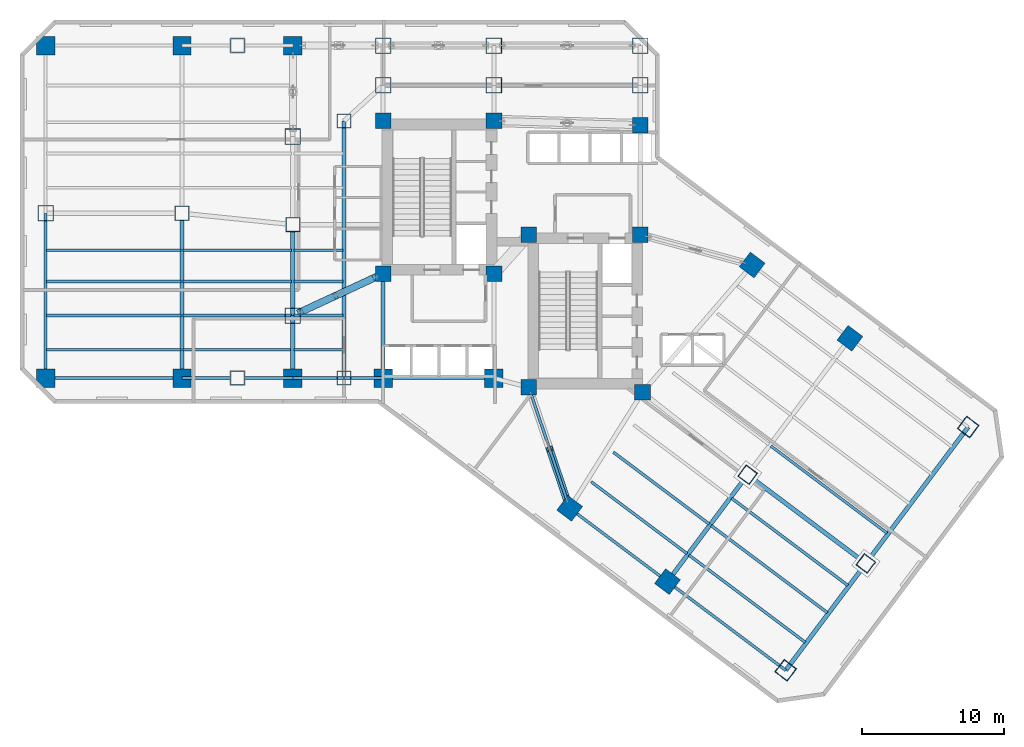
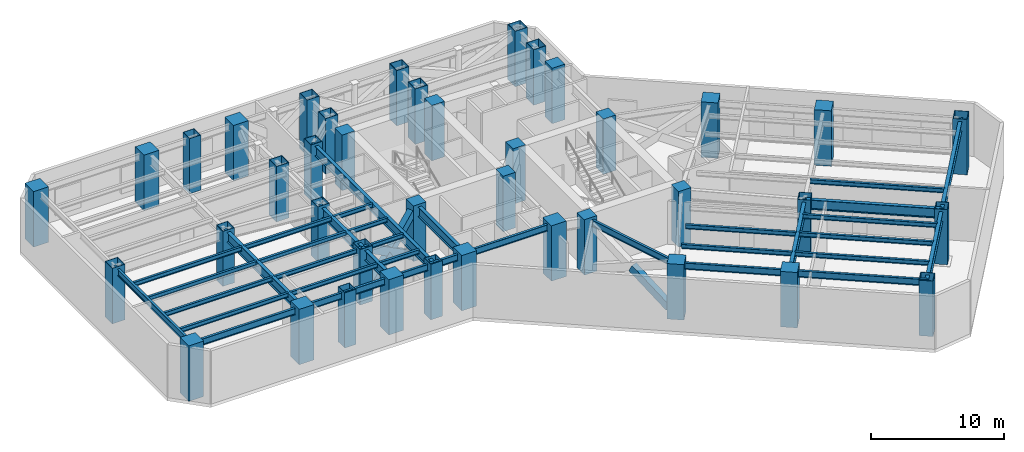
# One storey, part 1 of 16: 40 columns, 37 beams, 4 members.
"""IFC4 building model written with IfcOpenShell, lengths in metres."""

import ifcopenshell
import ifcopenshell.guid

model = None  # the IFC model being written
_history = None  # IfcOwnerHistory: only IFC2X3 demands one
_inside = {}  # id of a spatial element -> (the spatial element, [elements in it])
_under = {}  # id of a project, library or spatial element -> (it, [spatial elements below it])
_declared = {}  # id of a project -> (the project, [libraries it declares])
_typed = {}  # id of a type object -> (the type object, [elements of that type])
_made_of = {}  # id of a material, layer set ... -> (it, [elements and type objects made of it])


def new_model(schema):
    """Start an empty IFC model of exactly this schema.

    Asked for "IFC4X3", IfcOpenShell would pick the latest addendum, in which some entities
    have other attributes; the version numbers below select the first issue.
    IFC2X3 requires an IfcOwnerHistory on every rooted entity: one is made here for all.
    """
    global model, _history
    if schema == "IFC4X3":
        model = ifcopenshell.file(schema_version=(4, 3, 0, 0))
    else:
        model = ifcopenshell.file(schema=schema)
    _inside.clear()
    _under.clear()
    _declared.clear()
    _typed.clear()
    _made_of.clear()
    _history = None
    if model.schema == "IFC2X3":
        org = make("IfcOrganization", Name="unknown")
        user = make(
            "IfcPersonAndOrganization",
            ThePerson=make("IfcPerson", FamilyName="unknown"),
            TheOrganization=org,
        )
        app = make(
            "IfcApplication",
            ApplicationDeveloper=org,
            Version="unknown",
            ApplicationFullName="unknown",
            ApplicationIdentifier="unknown",
        )
        _history = make(
            "IfcOwnerHistory",
            OwningUser=user,
            OwningApplication=app,
            ChangeAction="ADDED",
            CreationDate=0,
        )
    return model


def make(cls, **values):
    """One entity of the class cls with the attributes given. An attribute that is None is left unset."""
    return model.create_entity(
        cls, **{name: value for name, value in values.items() if value is not None}
    )


def rooted(cls, **values):
    """An entity with a GlobalId (a new one), such as an element, a storey or a relation."""
    return make(cls, GlobalId=ifcopenshell.guid.new(), OwnerHistory=_history, **values)


def si_unit(unit_type, name, prefix=None):
    """IfcSIUnit, for example si_unit("LENGTHUNIT", "METRE", prefix="MILLI")."""
    return make("IfcSIUnit", UnitType=unit_type, Prefix=prefix, Name=name)


def assignment(units):
    """IfcUnitAssignment: the units of a project."""
    return None if units is None else make("IfcUnitAssignment", Units=units)


def point(xyz):
    """IfcCartesianPoint."""
    return None if xyz is None else make("IfcCartesianPoint", Coordinates=xyz)


def direction(xyz):
    """IfcDirection."""
    return None if xyz is None else make("IfcDirection", DirectionRatios=xyz)


def frame(location, z_axis=None, x_axis=None):
    """IfcAxis2Placement3D, a coordinate frame: its origin and axes. An axis left out is left unset."""
    return make(
        "IfcAxis2Placement3D",
        Location=point(location),
        Axis=direction(z_axis),
        RefDirection=direction(x_axis),
    )


def frame_2d(location, x_axis=None):
    """IfcAxis2Placement2D, a coordinate frame in the plane: its origin and x axis."""
    return make(
        "IfcAxis2Placement2D", Location=point(location), RefDirection=direction(x_axis)
    )


def origin():
    """The frame at (0, 0, 0) with its axes left unset."""
    return frame((0.0, 0.0, 0.0))


def origin_2d():
    """The frame at (0, 0) in the plane with its x axis left unset."""
    return frame_2d((0.0, 0.0))


def place(relative_to, where):
    """IfcLocalPlacement: puts the frame where relative to a parent placement (None: the world)."""
    return make(
        "IfcLocalPlacement", PlacementRelTo=relative_to, RelativePlacement=where
    )


def context(
    kind, dimensions, precision=None, world=None, true_north=None, identifier=None
):
    """IfcGeometricRepresentationContext, for example the 3D "Model" context."""
    return make(
        "IfcGeometricRepresentationContext",
        ContextIdentifier=identifier,
        ContextType=kind,
        CoordinateSpaceDimension=dimensions,
        Precision=precision,
        WorldCoordinateSystem=world,
        TrueNorth=true_north,
    )


def subcontext(parent, identifier, kind, view, scale=None):
    """IfcGeometricRepresentationSubContext, for example "Body" below "Model"."""
    return make(
        "IfcGeometricRepresentationSubContext",
        ContextIdentifier=identifier,
        ContextType=kind,
        ParentContext=parent,
        TargetScale=scale,
        TargetView=view,
    )


def project(units=None, contexts=None):
    """IfcProject with its units and contexts."""
    return rooted(
        "IfcProject",
        Name="project",
        RepresentationContexts=contexts,
        UnitsInContext=assignment(units),
    )


def spatial(cls, under=None, at=None, **own):
    """A site, building, storey or space (cls), placed at a placement, below another one or the project."""
    s = rooted(cls, ObjectPlacement=at, **own)
    if under is not None:
        _under.setdefault(under.id(), (under, []))[1].append(s)
    return s


def profile(cls, at=None, kind="AREA", **sizes):
    """A parametric profile (cls). Its sizes go by their IFC names, for example OverallWidth=200.0."""
    return make(cls, ProfileType=kind, Position=at, **sizes)


def rectangle(**sizes):
    """IfcRectangleProfileDef."""
    return profile("IfcRectangleProfileDef", **sizes)


def hollow_rectangle(**sizes):
    """IfcRectangleHollowProfileDef."""
    return profile("IfcRectangleHollowProfileDef", **sizes)


def i_section(**sizes):
    """IfcIShapeProfileDef."""
    return profile("IfcIShapeProfileDef", **sizes)


def extrude(swept, where, along, depth):
    """IfcExtrudedAreaSolid: the profile swept, set in the frame where, extruded along a direction by depth."""
    return make(
        "IfcExtrudedAreaSolid",
        SweptArea=swept,
        Position=where,
        ExtrudedDirection=direction(along),
        Depth=depth,
    )


def shape(context_of_items, identifier, shape_type, items):
    """IfcShapeRepresentation: the items that make up one representation, for example the "Body"."""
    return make(
        "IfcShapeRepresentation",
        ContextOfItems=context_of_items,
        RepresentationIdentifier=identifier,
        RepresentationType=shape_type,
        Items=items,
    )


def material(Name=None, Category=None):
    """IfcMaterial."""
    return make("IfcMaterial", Name=Name, Category=Category)


def material_profile(
    of_material, cross_section, Name=None, Category=None, Priority=None
):
    """IfcMaterialProfile: a cross section and its material."""
    return make(
        "IfcMaterialProfile",
        Name=Name,
        Material=of_material,
        Profile=cross_section,
        Priority=Priority,
        Category=Category,
    )


def profile_set(profiles, Name=None, composite=None):
    """IfcMaterialProfileSet."""
    return make(
        "IfcMaterialProfileSet",
        Name=Name,
        MaterialProfiles=profiles,
        CompositeProfile=composite,
    )


def made_of(thing, what):
    """Note that an element or type object is made of a material, layer set ...; save() writes the relation."""
    if what is not None:
        _made_of.setdefault(what.id(), (what, []))[1].append(thing)
    return thing


def type_object(cls, material=None, **own):
    """A type object (cls), such as IfcWallType, which elements share."""
    return made_of(rooted(cls, **own), material)


def element(
    cls,
    number,
    at=None,
    inside=None,
    cuts=None,
    type_object=None,
    material=None,
    context=None,
    identifier="Body",
    shape_type=None,
    held_by="IfcProductDefinitionShape",
    body=None,
    shapes=None,
    **own,
):
    """One element of the class cls, such as IfcWall. Its Tag is "e" and its number.

    at: its placement. inside: the storey or other place that contains it. cuts: it is an
    opening in that element (IfcRelVoidsElement). A single representation is given by context,
    identifier, shape_type and body (its items); several are given by shapes. held_by: the class
    of the entity that holds the representations. save() writes the other relations.
    """
    e = rooted(cls, Tag="e%d" % number, ObjectPlacement=at, **own)
    if body is not None:
        shapes = [shape(context, identifier, shape_type, body)]
    if shapes is not None:
        e.Representation = make(held_by, Representations=shapes)
    if inside is not None:
        _inside.setdefault(inside.id(), (inside, []))[1].append(e)
    if cuts is not None:
        rooted(
            "IfcRelVoidsElement", RelatingBuildingElement=cuts, RelatedOpeningElement=e
        )
    if type_object is not None:
        _typed.setdefault(type_object.id(), (type_object, []))[1].append(e)
    return made_of(e, material)


def aggregate(whole, parts):
    """IfcRelAggregates: a whole, such as a stair, and the parts it consists of."""
    return rooted("IfcRelAggregates", RelatingObject=whole, RelatedObjects=parts)


def save(model, path):
    """Write the relations noted so far, then the file.

    IfcRelAggregates (storeys below a building ...), IfcRelContainedInSpatialStructure (elements
    in a storey), IfcRelDefinesByType, IfcRelAssociatesMaterial and IfcRelDeclares: one each for
    every whole, place, type object, material and project.
    """
    for whole, parts in _under.values():
        aggregate(whole, parts)
    for where, things in _inside.values():
        rooted(
            "IfcRelContainedInSpatialStructure",
            RelatedElements=things,
            RelatingStructure=where,
        )
    for kind, things in _typed.values():
        rooted("IfcRelDefinesByType", RelatedObjects=things, RelatingType=kind)
    for what, things in _made_of.values():
        rooted("IfcRelAssociatesMaterial", RelatedObjects=things, RelatingMaterial=what)
    for by, libraries in _declared.values():
        rooted("IfcRelDeclares", RelatingContext=by, RelatedDefinitions=libraries)
    model.write(path)


model = new_model("IFC4")

# Units and contexts
model_context = context("Model", 3, precision=1e-05, world=origin(), true_north=direction((0.0, 1.0)))
body_context = subcontext(model_context, "Body", "Model", "MODEL_VIEW")
ifc_project = project(units=[si_unit("LENGTHUNIT", "METRE"), si_unit("AREAUNIT", "SQUARE_METRE"), si_unit("VOLUMEUNIT", "CUBIC_METRE"), si_unit("PLANEANGLEUNIT", "RADIAN"), si_unit("MASSUNIT", "GRAM", prefix="KILO")], contexts=[model_context])

# Site, building, storey
site_placement = place(None, origin())
site = spatial("IfcSite", under=ifc_project, at=site_placement, CompositionType="ELEMENT")
building_placement = place(site_placement, origin())
building = spatial("IfcBuilding", under=site, at=building_placement, Name="Hatsunagi Terrace Concourse", CompositionType="ELEMENT")
storey_placement = place(building_placement, frame((0.0, 0.0, 27.0)))
storey = spatial("IfcBuildingStorey", under=building, at=storey_placement, Name="L06", CompositionType="ELEMENT", Elevation=27.0)

# Columns
ifc_material_1 = material(Name="Concrete Fc60", Category="concrete")
ifc_material_profile_1 = material_profile(ifc_material_1, rectangle(XDim=1.10009765625, YDim=1.10009765625, at=origin_2d()), Name="RC-1100x1100")
ifc_profile_set_1 = profile_set([ifc_material_profile_1], Name="Concrete Fc60")
column_type_1 = type_object("IfcColumnType", Name="CoreColumn_RC_1100x1100", PredefinedType="COLUMN", material=ifc_profile_set_1)
for number, where, z_axis, x_axis, name in (
    (1, (25.550048828125, 32.550048828125, 0.0), (0.0, 0.0, 1.0), (1.0, 0.0, 0.0), "Column C-01 L06-CASW"),
    (2, (33.35009765625, 32.550048828125, 0.0), (0.0, 0.0, 1.0), (1.0, 0.0, 0.0), "Column C-01 L06-CASE"),
    (3, (25.550048828125, 43.300048828125, 0.0), (0.0, 0.0, 1.0), (1.0, 0.0, 0.0), "Column C-01 L06-CANW"),
    (4, (33.35009765625, 43.300048828125, 0.0), (0.0, 0.0, 1.0), (1.0, 0.0, 0.0), "Column C-01 L06-CANE"),
    (5, (35.800048828125, 24.550048828125, 0.0), (0.0, 0.0, 1.0), (1.0, 0.0, 0.0), "Column C-01 L06-CBSW"),
    (6, (43.800048828125, 24.199951171875, 0.0), (0.0, 0.0, 1.0), (1.0, 0.0, 0.0), "Column C-01 L06-CBSE"),
    (7, (35.800048828125, 35.300048828125, 0.0), (0.0, 0.0, 1.0), (1.0, 0.0, 0.0), "Column C-01 L06-CBNW"),
    (8, (43.64990234375, 35.300048828125, 0.0), (0.0, 0.0, 1.0), (1.0, 0.0, 0.0), "Column C-01 L06-CBNE"),
    (9, (43.64990234375, 43.0, 0.0), (0.0, 0.0, 1.0), (1.0, 0.0, 0.0), "Column C-01 L06-K3"),
):
    element("IfcColumn", number, at=place(storey_placement, frame(where, z_axis=z_axis, x_axis=x_axis)), inside=storey, type_object=column_type_1, Name=name, PredefinedType="COLUMN", context=body_context, shape_type="SweptSolid", body=[
        extrude(rectangle(XDim=1.10009765625, YDim=1.10009765625, at=origin_2d()), origin(), (0.0, 0.0, 1.0), 5.10009765625),
    ])
ifc_material_2 = material(Name="Steel BCP325T", Category="steel")
ifc_material_profile_2 = material_profile(ifc_material_2, hollow_rectangle(XDim=1.10009765625, YDim=1.10009765625, WallThickness=0.0400390625, at=origin_2d()), Name="BCP-1100x1100x40")
ifc_profile_set_2 = profile_set([ifc_material_profile_2], Name="Steel BCP325T")
column_type_2 = type_object("IfcColumnType", Name="MegaColumn_BCP_1100x1100x40", PredefinedType="COLUMN", material=ifc_profile_set_2)
for number, where, z_axis, x_axis, name in (
    (10, (25.550048828125, 45.800048828125, 0.0), (0.0, 0.0, 1.0), (1.0, 0.0, 0.0), "Mega column MC-02 L06-CN1"),
    (11, (33.35009765625, 45.800048828125, 0.0), (0.0, 0.0, 1.0), (1.0, 0.0, 0.0), "Mega column MC-02 L06-CN2"),
    (12, (43.64990234375, 45.800048828125, 0.0), (0.0, 0.0, 1.0), (1.0, 0.0, 0.0), "Mega column MC-02 L06-CN3"),
    (13, (1.800048828125, 36.800048828125, 0.0), (0.0, 0.0, 1.0), (1.0, 0.0, 0.0), "Mega column MC-02 L06-WM0"),
    (14, (25.550048828125, 48.60009765625, 0.0), (0.0, 0.0, 1.0), (1.0, 0.0, 0.0), "Mega column MC-02 L06-WN4"),
    (15, (33.35009765625, 48.60009765625, 0.0), (0.0, 0.0, 1.0), (1.0, 0.0, 0.0), "Mega column MC-02 L06-WN5"),
    (16, (43.64990234375, 48.60009765625, 0.0), (0.0, 0.0, 1.0), (1.0, 0.0, 0.0), "Mega column MC-02 L06-WN6"),
    (17, (19.199951171875, 29.60009765625, 0.0), (0.0, 0.0, 1.0), (1.0, 0.0, 0.0), "Mega column MC-02 L06-WR1"),
    (18, (19.199951171875, 42.199951171875, 0.0), (0.0, 0.0, 1.0), (1.0, 0.0, 0.0), "Mega column MC-02 L06-WR2"),
    (19, (53.8798828125, 4.639892578125, 0.0), (0.0, 0.0, 1.0), (0.799999996291, -0.600000004945, 0.0), "Mega column MC-02 L06-SES3"),
    (20, (66.719970703125, 21.760009765625, 0.0), (0.0, 0.0, 1.0), (0.799999996291, -0.600000004945, 0.0), "Mega column MC-02 L06-SEN3"),
):
    element("IfcColumn", number, at=place(storey_placement, frame(where, z_axis=z_axis, x_axis=x_axis)), inside=storey, type_object=column_type_2, Name=name, PredefinedType="COLUMN", context=body_context, shape_type="SweptSolid", body=[
        extrude(hollow_rectangle(XDim=1.10009765625, YDim=1.10009765625, WallThickness=0.0400390625, at=origin_2d()), origin(), (0.0, 0.0, 1.0), 5.10009765625),
    ])
ifc_material_3 = material(Name="Concrete Fc60", Category="concrete")
ifc_material_profile_3 = material_profile(ifc_material_3, rectangle(XDim=1.300048828125, YDim=1.300048828125, at=origin_2d()), Name="RC-1300x1300")
ifc_profile_set_3 = profile_set([ifc_material_profile_3], Name="Concrete Fc60")
column_type_3 = type_object("IfcColumnType", Name="MegaColumn_RC_1300x1300", PredefinedType="COLUMN", material=ifc_profile_set_3)
for number, where, z_axis, x_axis, name in (
    (21, (25.550048828125, 25.199951171875, 0.0), (0.0, 0.0, 1.0), (1.0, 0.0, 0.0), "Mega column MC-01 L06-K1"),
    (22, (33.35009765625, 25.199951171875, 0.0), (0.0, 0.0, 1.0), (1.0, 0.0, 0.0), "Mega column MC-01 L06-K2"),
    (23, (1.800048828125, 25.199951171875, 0.0), (0.0, 0.0, 1.0), (1.0, 0.0, 0.0), "Mega column MC-01 L06-WS1"),
    (24, (1.800048828125, 48.60009765625, 0.0), (0.0, 0.0, 1.0), (1.0, 0.0, 0.0), "Mega column MC-01 L06-WN1"),
    (25, (11.39990234375, 25.199951171875, 0.0), (0.0, 0.0, 1.0), (1.0, 0.0, 0.0), "Mega column MC-01 L06-WS2"),
    (26, (11.39990234375, 48.60009765625, 0.0), (0.0, 0.0, 1.0), (1.0, 0.0, 0.0), "Mega column MC-01 L06-WN2"),
    (27, (19.199951171875, 48.60009765625, 0.0), (0.0, 0.0, 1.0), (1.0, 0.0, 0.0), "Mega column MC-01 L06-WN3"),
    (28, (19.199951171875, 25.199951171875, 0.0), (0.0, 0.0, 1.0), (1.0, 0.0, 0.0), "Mega column MC-01 L06-WS3"),
    (29, (38.679931640625, 16.0400390625, 0.0), (0.0, 0.0, 1.0), (0.799999996291, -0.600000004945, 0.0), "Mega column MC-01 L06-SES1"),
    (30, (51.52001953125, 33.159912109375, 0.0), (0.0, 0.0, 1.0), (0.799999996291, -0.600000004945, 0.0), "Mega column MC-01 L06-SEN1"),
    (31, (45.56005859375, 10.8798828125, 0.0), (0.0, 0.0, 1.0), (0.799999996291, -0.600000004945, 0.0), "Mega column MC-01 L06-SES2"),
    (32, (58.39990234375, 28.0, 0.0), (0.0, 0.0, 1.0), (0.799999996291, -0.600000004945, 0.0), "Mega column MC-01 L06-SEN2"),
):
    element("IfcColumn", number, at=place(storey_placement, frame(where, z_axis=z_axis, x_axis=x_axis)), inside=storey, type_object=column_type_3, Name=name, PredefinedType="COLUMN", context=body_context, shape_type="SweptSolid", body=[
        extrude(rectangle(XDim=1.300048828125, YDim=1.300048828125, at=origin_2d()), origin(), (0.0, 0.0, 1.0), 5.10009765625),
    ])
ifc_material_4 = material(Name="Steel BCP325T", Category="steel")
ifc_material_profile_4 = material_profile(ifc_material_4, hollow_rectangle(XDim=1.0, YDim=1.0, WallThickness=0.0380859375, at=origin_2d()), Name="BCP-1000x1000x38")
ifc_profile_set_4 = profile_set([ifc_material_profile_4], Name="Steel BCP325T")
column_type_4 = type_object("IfcColumnType", Name="TowerBoxColumn_1000x1000x38", PredefinedType="COLUMN", material=ifc_profile_set_4)
for number, where, z_axis, x_axis, name in (
    (33, (22.800048828125, 25.199951171875, 0.0), (0.0, 0.0, 1.0), (1.0, 0.0, 0.0), "Column C-03 L06-CW1"),
    (34, (22.800048828125, 43.300048828125, 0.0), (0.0, 0.0, 1.0), (1.0, 0.0, 0.0), "Column C-03 L06-CW2"),
):
    element("IfcColumn", number, at=place(storey_placement, frame(where, z_axis=z_axis, x_axis=x_axis)), inside=storey, type_object=column_type_4, Name=name, PredefinedType="COLUMN", context=body_context, shape_type="SweptSolid", body=[
        extrude(hollow_rectangle(XDim=1.0, YDim=1.0, WallThickness=0.0380859375, at=origin_2d()), origin(), (0.0, 0.0, 1.0), 5.10009765625),
    ])
for number, where, z_axis, x_axis, name in (
    (35, (11.39990234375, 36.800048828125, 0.031982421875), (0.0, 0.0, 1.0), (1.0, 0.0, 0.0), "Column C-03 L06-WT1"),
    (36, (19.199951171875, 36.0, 0.031982421875), (0.0, 0.0, 1.0), (1.0, 0.0, 0.0), "Column C-03 L06-WT2"),
    (37, (15.300048828125, 25.199951171875, 0.031982421875), (0.0, 0.0, 1.0), (1.0, 0.0, 0.0), "Column C-03 L06-WT3"),
    (38, (15.300048828125, 48.60009765625, 0.031982421875), (0.0, 0.0, 1.0), (1.0, 0.0, 0.0), "Column C-03 L06-WT4"),
    (39, (51.199951171875, 18.39990234375, 0.031982421875), (0.0, 0.0, 1.0), (0.799999996291, -0.600000004945, 0.0), "Column C-03 L06-SEM2"),
    (40, (59.52001953125, 12.159912109375, 0.031982421875), (0.0, 0.0, 1.0), (0.799999996291, -0.600000004945, 0.0), "Column C-03 L06-SEM3"),
):
    element("IfcColumn", number, at=place(storey_placement, frame(where, z_axis=z_axis, x_axis=x_axis)), inside=storey, type_object=column_type_4, Name=name, PredefinedType="COLUMN", context=body_context, shape_type="SweptSolid", body=[
        extrude(hollow_rectangle(XDim=1.0, YDim=1.0, WallThickness=0.0380859375, at=origin_2d()), origin(), (0.0, 0.0, 1.0), 5.068115234375),
    ])

# Beams
ifc_material_5 = material(Name="Steel SN490B", Category="steel")
ifc_material_profile_5 = material_profile(ifc_material_5, i_section(OverallWidth=0.300048828125, OverallDepth=0.89990234375, WebThickness=0.01611328125, FlangeThickness=0.028076171875, FilletRadius=0.02197265625, at=origin_2d()), Name="H-900x300x16x28")
ifc_profile_set_5 = profile_set([ifc_material_profile_5], Name="Steel SN490B")
beam_type_1 = type_object("IfcBeamType", Name="HeavyRefugeGirder_H_900x300", PredefinedType="BEAM", material=ifc_profile_set_5)
beam_1_placement = place(storey_placement, frame((25.550048828125, 25.199951171875, 4.429931640625), z_axis=(0.0, 1.0, 0.0), x_axis=(-1.0, 0.0, 0.0)))
element("IfcBeam", 41, at=beam_1_placement, inside=storey, type_object=beam_type_1, Name="Beam G-02 BM-L06-K1CA", PredefinedType="BEAM", context=body_context, shape_type="SweptSolid", body=[
    extrude(i_section(OverallWidth=0.300048828125, OverallDepth=0.89990234375, WebThickness=0.01611328125, FlangeThickness=0.028076171875, FilletRadius=0.02197265625, at=origin_2d()), origin(), (0.0, 0.0, 1.0), 7.35009765625),
])
beam_2_placement = place(storey_placement, frame((22.800048828125, 25.199951171875, 4.429931640625), z_axis=(0.0, 1.0, 0.0), x_axis=(-1.0, 0.0, 0.0)))
element("IfcBeam", 42, at=beam_2_placement, inside=storey, type_object=beam_type_1, Name="Beam G-02 BM-L06-CWNS", PredefinedType="BEAM", context=body_context, shape_type="SweptSolid", body=[
    extrude(i_section(OverallWidth=0.300048828125, OverallDepth=0.89990234375, WebThickness=0.01611328125, FlangeThickness=0.028076171875, FilletRadius=0.02197265625, at=origin_2d()), origin(), (0.0, 0.0, 1.0), 18.10009765625),
])
beam_3_placement = place(storey_placement, frame((11.39990234375, 25.199951171875, 4.429931640625), z_axis=(0.0, 1.0, 0.0), x_axis=(-1.0, 0.0, 0.0)))
element("IfcBeam", 43, at=beam_3_placement, inside=storey, type_object=beam_type_1, Name="Beam G-02 BM-L06-NS-11-25", PredefinedType="BEAM", context=body_context, shape_type="SweptSolid", body=[
    extrude(i_section(OverallWidth=0.300048828125, OverallDepth=0.89990234375, WebThickness=0.01611328125, FlangeThickness=0.028076171875, FilletRadius=0.02197265625, at=origin_2d()), origin(), (0.0, 0.0, 1.0), 11.60009765625),
])
beam_4_placement = place(storey_placement, frame((19.199951171875, 25.199951171875, 4.429931640625), z_axis=(0.0, 1.0, 0.0), x_axis=(-1.0, 0.0, 0.0)))
element("IfcBeam", 44, at=beam_4_placement, inside=storey, type_object=beam_type_1, Name="Beam G-02 BM-L06-NS-19-25", PredefinedType="BEAM", context=body_context, shape_type="SweptSolid", body=[
    extrude(i_section(OverallWidth=0.300048828125, OverallDepth=0.89990234375, WebThickness=0.01611328125, FlangeThickness=0.028076171875, FilletRadius=0.02197265625, at=origin_2d()), origin(), (0.0, 0.0, 1.0), 4.400146484375),
])
beam_5_placement = place(storey_placement, frame((19.199951171875, 29.60009765625, 4.429931640625), z_axis=(0.0, 1.0, 0.0), x_axis=(-1.0, 0.0, 0.0)))
element("IfcBeam", 45, at=beam_5_placement, inside=storey, type_object=beam_type_1, Name="Beam G-02 BM-L06-NS-19-29", PredefinedType="BEAM", context=body_context, shape_type="SweptSolid", body=[
    extrude(i_section(OverallWidth=0.300048828125, OverallDepth=0.89990234375, WebThickness=0.01611328125, FlangeThickness=0.028076171875, FilletRadius=0.02197265625, at=origin_2d()), origin(), (0.0, 0.0, 1.0), 6.39990234375),
])
beam_6_placement = place(storey_placement, frame((45.56005859375, 10.8798828125, 4.429931640625), z_axis=(0.599991688754, 0.800006233367, 0.0), x_axis=(-0.800006233367, 0.599991688754, 0.0)))
element("IfcBeam", 46, at=beam_6_placement, inside=storey, type_object=beam_type_1, Name="Beam G-02 BM-L06-SET-2A", PredefinedType="BEAM", context=body_context, shape_type="SweptSolid", body=[
    extrude(i_section(OverallWidth=0.300048828125, OverallDepth=0.89990234375, WebThickness=0.01611328125, FlangeThickness=0.028076171875, FilletRadius=0.02197265625, at=origin_2d()), origin(), (0.0, 0.0, 1.0), 9.39990234375),
])
beam_7_placement = place(storey_placement, frame((51.199951171875, 18.39990234375, 4.429931640625), z_axis=(0.800002816985, -0.599996244001, 0.0), x_axis=(0.599996244001, 0.800002816985, 0.0)))
element("IfcBeam", 47, at=beam_7_placement, inside=storey, type_object=beam_type_1, Name="Beam G-02 BM-L06-SE-M3", PredefinedType="BEAM", context=body_context, shape_type="SweptSolid", body=[
    extrude(i_section(OverallWidth=0.300048828125, OverallDepth=0.89990234375, WebThickness=0.01611328125, FlangeThickness=0.028076171875, FilletRadius=0.02197265625, at=origin_2d()), origin(), (0.0, 0.0, 1.0), 10.400146484375),
])
beam_8_placement = place(storey_placement, frame((53.8798828125, 4.639892578125, 4.429931640625), z_axis=(0.600008311051, 0.799993766644, 0.0), x_axis=(-0.799993766644, 0.600008311051, 0.0)))
element("IfcBeam", 48, at=beam_8_placement, inside=storey, type_object=beam_type_1, Name="Beam G-02 BM-L06-SET-3A", PredefinedType="BEAM", context=body_context, shape_type="SweptSolid", body=[
    extrude(i_section(OverallWidth=0.300048828125, OverallDepth=0.89990234375, WebThickness=0.01611328125, FlangeThickness=0.028076171875, FilletRadius=0.02197265625, at=origin_2d()), origin(), (0.0, 0.0, 1.0), 9.400146484375),
])
beam_9_placement = place(storey_placement, frame((59.52001953125, 12.159912109375, 4.429931640625), z_axis=(0.59999348959, 0.800004882766, 0.0), x_axis=(-0.800004882766, 0.59999348959, 0.0)))
element("IfcBeam", 49, at=beam_9_placement, inside=storey, type_object=beam_type_1, Name="Beam G-02 BM-L06-SET-3B", PredefinedType="BEAM", context=body_context, shape_type="SweptSolid", body=[
    extrude(i_section(OverallWidth=0.300048828125, OverallDepth=0.89990234375, WebThickness=0.01611328125, FlangeThickness=0.028076171875, FilletRadius=0.02197265625, at=origin_2d()), origin(), (0.0, 0.0, 1.0), 12.0),
])

# Members
ifc_material_6 = material(Name="Steel SN490C", Category="steel")
ifc_material_profile_6 = material_profile(ifc_material_6, hollow_rectangle(XDim=0.5, YDim=0.699951171875, WallThickness=0.031982421875, at=origin_2d()), Name="RHS-700x500x32")
ifc_profile_set_6 = profile_set([ifc_material_profile_6], Name="Steel SN490C")
member_type = type_object("IfcMemberType", Name="OutriggerDiagonal_RHS_700x500x32", PredefinedType="BRACE", material=ifc_profile_set_6)
member_1_placement = place(storey_placement, frame((25.02587890625, 32.305908203125, 0.4599609375), z_axis=(-0.750901854546, -0.348687341188, 0.560859646378), x_axis=(0.42116529872, -0.906983897957, 0.0)))
element("IfcMember", 50, at=member_1_placement, inside=storey, type_object=member_type, Name="Primary Continuous Brace OUT-01 OUT-L06-1A", PredefinedType="BRACE", context=body_context, shape_type="SweptSolid", body=[
    extrude(hollow_rectangle(XDim=0.5, YDim=0.699951171875, WallThickness=0.031982421875, at=origin_2d()), origin(), (0.0, 0.0, 1.0), 7.060546875),
])
member_2_placement = place(storey_placement, frame((25.02587890625, 32.305908203125, 4.419921875), z_axis=(-0.751012583361, -0.348643260074, -0.560738777719), x_axis=(0.421070417189, -0.90702795093, 0.0)))
element("IfcMember", 51, at=member_2_placement, inside=storey, type_object=member_type, Name="Split Secondary Brace Upper OUT-01 OUT-L06-1B1", PredefinedType="BRACE", context=body_context, shape_type="SweptSolid", body=[
    extrude(hollow_rectangle(XDim=0.5, YDim=0.699951171875, WallThickness=0.031982421875, at=origin_2d()), origin(), (0.0, 0.0, 1.0), 3.389892578125),
])
member_3_placement = place(storey_placement, frame((22.27001953125, 31.02587890625, 2.361083984375), z_axis=(-0.750982254537, -0.348629180496, -0.560788148838), x_axis=(0.421070417189, -0.90702795093, 0.0)))
element("IfcMember", 52, at=member_3_placement, inside=storey, type_object=member_type, Name="Split Secondary Brace Lower OUT-01 OUT-L06-1B2", PredefinedType="BRACE", context=body_context, shape_type="SweptSolid", body=[
    extrude(hollow_rectangle(XDim=0.5, YDim=0.699951171875, WallThickness=0.031982421875, at=origin_2d()), origin(), (0.0, 0.0, 1.0), 3.39013671875),
])
member_4_placement = place(storey_placement, frame((37.263916015625, 20.22412109375, 2.3759765625), z_axis=(0.285340007043, -0.843005123638, -0.455986229947), x_axis=(0.947210784409, 0.32061149371, 0.0)))
element("IfcMember", 53, at=member_4_placement, inside=storey, type_object=member_type, Name="Split Secondary Brace Lower OUT-01 OUT-L06-5B2", PredefinedType="BRACE", context=body_context, shape_type="SweptSolid", body=[
    extrude(hollow_rectangle(XDim=0.5, YDim=0.699951171875, WallThickness=0.031982421875, at=origin_2d()), origin(), (0.0, 0.0, 1.0), 4.201904296875),
])

# Beams
ifc_material_7 = material(Name="Steel SN490B", Category="steel")
ifc_material_profile_7 = material_profile(ifc_material_7, i_section(OverallWidth=0.199951171875, OverallDepth=0.60009765625, WebThickness=0.010986328125, FlangeThickness=0.01708984375, FilletRadius=0.01806640625, at=origin_2d()), Name="H-600x200x11x17")
ifc_profile_set_7 = profile_set([ifc_material_profile_7], Name="Steel SN490B")
beam_type_2 = type_object("IfcBeamType", Name="PerimeterSpandrel_H_600x200", PredefinedType="SPANDREL", material=ifc_profile_set_7)
beam_10_placement = place(storey_placement, frame((1.800048828125, 25.199951171875, 4.580078125), z_axis=(1.0, 0.0, 0.0), x_axis=(0.0, 1.0, 0.0)))
element("IfcBeam", 54, at=beam_10_placement, inside=storey, type_object=beam_type_2, Name="Beam SP-01 BM-L06-WS-1", PredefinedType="SPANDREL", context=body_context, shape_type="SweptSolid", body=[
    extrude(i_section(OverallWidth=0.199951171875, OverallDepth=0.60009765625, WebThickness=0.010986328125, FlangeThickness=0.01708984375, FilletRadius=0.01806640625, at=origin_2d()), origin(), (0.0, 0.0, 1.0), 9.599853515625),
])
beam_11_placement = place(storey_placement, frame((11.39990234375, 25.199951171875, 4.580078125), z_axis=(1.0, 0.0, 0.0), x_axis=(0.0, 1.0, 0.0)))
element("IfcBeam", 55, at=beam_11_placement, inside=storey, type_object=beam_type_2, Name="Beam SP-01 BM-L06-WS-11", PredefinedType="SPANDREL", context=body_context, shape_type="SweptSolid", body=[
    extrude(i_section(OverallWidth=0.199951171875, OverallDepth=0.60009765625, WebThickness=0.010986328125, FlangeThickness=0.01708984375, FilletRadius=0.01806640625, at=origin_2d()), origin(), (0.0, 0.0, 1.0), 3.900146484375),
])
beam_12_placement = place(storey_placement, frame((15.300048828125, 25.199951171875, 4.580078125), z_axis=(1.0, 0.0, 0.0), x_axis=(0.0, 1.0, 0.0)))
element("IfcBeam", 56, at=beam_12_placement, inside=storey, type_object=beam_type_2, Name="Beam SP-01 BM-L06-WS-15", PredefinedType="SPANDREL", context=body_context, shape_type="SweptSolid", body=[
    extrude(i_section(OverallWidth=0.199951171875, OverallDepth=0.60009765625, WebThickness=0.010986328125, FlangeThickness=0.01708984375, FilletRadius=0.01806640625, at=origin_2d()), origin(), (0.0, 0.0, 1.0), 3.89990234375),
])
beam_13_placement = place(storey_placement, frame((19.199951171875, 25.199951171875, 4.580078125), z_axis=(1.0, 0.0, 0.0), x_axis=(0.0, 1.0, 0.0)))
element("IfcBeam", 57, at=beam_13_placement, inside=storey, type_object=beam_type_2, Name="Beam SP-01 BM-L06-WS-19", PredefinedType="SPANDREL", context=body_context, shape_type="SweptSolid", body=[
    extrude(i_section(OverallWidth=0.199951171875, OverallDepth=0.60009765625, WebThickness=0.010986328125, FlangeThickness=0.01708984375, FilletRadius=0.01806640625, at=origin_2d()), origin(), (0.0, 0.0, 1.0), 3.60009765625),
])
beam_14_placement = place(storey_placement, frame((22.800048828125, 25.199951171875, 4.580078125), z_axis=(1.0, 0.0, 0.0), x_axis=(0.0, 1.0, 0.0)))
element("IfcBeam", 58, at=beam_14_placement, inside=storey, type_object=beam_type_2, Name="Beam SP-01 BM-L06-WS-22", PredefinedType="SPANDREL", context=body_context, shape_type="SweptSolid", body=[
    extrude(i_section(OverallWidth=0.199951171875, OverallDepth=0.60009765625, WebThickness=0.010986328125, FlangeThickness=0.01708984375, FilletRadius=0.01806640625, at=origin_2d()), origin(), (0.0, 0.0, 1.0), 2.75),
])
beam_15_placement = place(storey_placement, frame((25.550048828125, 25.199951171875, 4.580078125), z_axis=(1.0, 0.0, 0.0), x_axis=(0.0, 1.0, 0.0)))
element("IfcBeam", 59, at=beam_15_placement, inside=storey, type_object=beam_type_2, Name="Beam SP-01 BM-L06-WS-25", PredefinedType="SPANDREL", context=body_context, shape_type="SweptSolid", body=[
    extrude(i_section(OverallWidth=0.199951171875, OverallDepth=0.60009765625, WebThickness=0.010986328125, FlangeThickness=0.01708984375, FilletRadius=0.01806640625, at=origin_2d()), origin(), (0.0, 0.0, 1.0), 7.800048828125),
])
beam_16_placement = place(storey_placement, frame((1.800048828125, 25.199951171875, 4.580078125), z_axis=(0.0, 1.0, 0.0), x_axis=(-1.0, 0.0, 0.0)))
element("IfcBeam", 60, at=beam_16_placement, inside=storey, type_object=beam_type_2, Name="Beam SP-01 BM-L06-NS-1-25", PredefinedType="SPANDREL", context=body_context, shape_type="SweptSolid", body=[
    extrude(i_section(OverallWidth=0.199951171875, OverallDepth=0.60009765625, WebThickness=0.010986328125, FlangeThickness=0.01708984375, FilletRadius=0.01806640625, at=origin_2d()), origin(), (0.0, 0.0, 1.0), 11.60009765625),
])
beam_17_placement = place(storey_placement, frame((35.800048828125, 24.550048828125, 4.580078125), z_axis=(0.320553412271, -0.947230441805, 0.0), x_axis=(0.947230441805, 0.320553412271, 0.0)))
element("IfcBeam", 61, at=beam_17_placement, inside=storey, type_object=beam_type_2, Name="Beam SP-01 BM-L06-SE-SW0", PredefinedType="SPANDREL", context=body_context, shape_type="SweptSolid", body=[
    extrude(i_section(OverallWidth=0.199951171875, OverallDepth=0.60009765625, WebThickness=0.010986328125, FlangeThickness=0.01708984375, FilletRadius=0.01806640625, at=origin_2d()), origin(), (0.0, 0.0, 1.0), 8.984130859375),
])
beam_18_placement = place(storey_placement, frame((38.679931640625, 16.0400390625, 4.580078125), z_axis=(0.799996593451, -0.600004542038, 0.0), x_axis=(0.600004542038, 0.799996593451, 0.0)))
element("IfcBeam", 62, at=beam_18_placement, inside=storey, type_object=beam_type_2, Name="Beam SP-01 BM-L06-SE-SW2", PredefinedType="SPANDREL", context=body_context, shape_type="SweptSolid", body=[
    extrude(i_section(OverallWidth=0.199951171875, OverallDepth=0.60009765625, WebThickness=0.010986328125, FlangeThickness=0.01708984375, FilletRadius=0.01806640625, at=origin_2d()), origin(), (0.0, 0.0, 1.0), 8.60009765625),
])
beam_19_placement = place(storey_placement, frame((45.56005859375, 10.8798828125, 4.580078125), z_axis=(0.799994365871, -0.600007512099, 0.0), x_axis=(0.600007512099, 0.799994365871, 0.0)))
element("IfcBeam", 63, at=beam_19_placement, inside=storey, type_object=beam_type_2, Name="Beam SP-01 BM-L06-SE-SW3", PredefinedType="SPANDREL", context=body_context, shape_type="SweptSolid", body=[
    extrude(i_section(OverallWidth=0.199951171875, OverallDepth=0.60009765625, WebThickness=0.010986328125, FlangeThickness=0.01708984375, FilletRadius=0.01806640625, at=origin_2d()), origin(), (0.0, 0.0, 1.0), 10.39990234375),
])
ifc_material_8 = material(Name="Steel SN490B", Category="steel")
ifc_material_profile_8 = material_profile(ifc_material_8, i_section(OverallWidth=0.199951171875, OverallDepth=0.39990234375, WebThickness=0.008056640625, FlangeThickness=0.012939453125, FilletRadius=0.012939453125, at=origin_2d()), Name="H-400x200x8x13")
ifc_profile_set_8 = profile_set([ifc_material_profile_8], Name="Steel SN490B")
beam_type_3 = type_object("IfcBeamType", Name="PodiumJoist_H_400x200", PredefinedType="JOIST", material=ifc_profile_set_8)
beam_20_placement = place(storey_placement, frame((1.864990234375, 27.199951171875, 4.679931640625), z_axis=(1.0, 0.0, 0.0), x_axis=(0.0, 1.0, 0.0)))
element("IfcBeam", 64, at=beam_20_placement, inside=storey, type_object=beam_type_3, Name="Beam J-01 J-L06-W-1-272", PredefinedType="JOIST", context=body_context, shape_type="SweptSolid", body=[
    extrude(i_section(OverallWidth=0.199951171875, OverallDepth=0.39990234375, WebThickness=0.008056640625, FlangeThickness=0.012939453125, FilletRadius=0.012939453125, at=origin_2d()), origin(), (0.0, 0.0, 1.0), 9.449951171875),
])
beam_21_placement = place(storey_placement, frame((11.485107421875, 27.199951171875, 4.679931640625), z_axis=(1.0, 0.0, 0.0), x_axis=(0.0, 1.0, 0.0)))
element("IfcBeam", 65, at=beam_21_placement, inside=storey, type_object=beam_type_3, Name="Beam J-01 J-L06-W-11-272", PredefinedType="JOIST", context=body_context, shape_type="SweptSolid", body=[
    extrude(i_section(OverallWidth=0.199951171875, OverallDepth=0.39990234375, WebThickness=0.008056640625, FlangeThickness=0.012939453125, FilletRadius=0.012939453125, at=origin_2d()), origin(), (0.0, 0.0, 1.0), 7.6298828125),
])
beam_22_placement = place(storey_placement, frame((19.284912109375, 27.199951171875, 4.679931640625), z_axis=(1.0, 0.0, 0.0), x_axis=(0.0, 1.0, 0.0)))
element("IfcBeam", 66, at=beam_22_placement, inside=storey, type_object=beam_type_3, Name="Beam J-01 J-L06-W-19-272", PredefinedType="JOIST", context=body_context, shape_type="SweptSolid", body=[
    extrude(i_section(OverallWidth=0.199951171875, OverallDepth=0.39990234375, WebThickness=0.008056640625, FlangeThickness=0.012939453125, FilletRadius=0.012939453125, at=origin_2d()), origin(), (0.0, 0.0, 1.0), 3.43017578125),
])
beam_23_placement = place(storey_placement, frame((1.864990234375, 29.60009765625, 4.679931640625), z_axis=(1.0, 0.0, 0.0), x_axis=(0.0, 1.0, 0.0)))
element("IfcBeam", 67, at=beam_23_placement, inside=storey, type_object=beam_type_3, Name="Beam J-01 J-L06-W-1-296", PredefinedType="JOIST", context=body_context, shape_type="SweptSolid", body=[
    extrude(i_section(OverallWidth=0.199951171875, OverallDepth=0.39990234375, WebThickness=0.008056640625, FlangeThickness=0.012939453125, FilletRadius=0.012939453125, at=origin_2d()), origin(), (0.0, 0.0, 1.0), 9.449951171875),
])
beam_24_placement = place(storey_placement, frame((11.485107421875, 29.60009765625, 4.679931640625), z_axis=(1.0, 0.0, 0.0), x_axis=(0.0, 1.0, 0.0)))
element("IfcBeam", 68, at=beam_24_placement, inside=storey, type_object=beam_type_3, Name="Beam J-01 J-L06-W-11-296", PredefinedType="JOIST", context=body_context, shape_type="SweptSolid", body=[
    extrude(i_section(OverallWidth=0.199951171875, OverallDepth=0.39990234375, WebThickness=0.008056640625, FlangeThickness=0.012939453125, FilletRadius=0.012939453125, at=origin_2d()), origin(), (0.0, 0.0, 1.0), 7.6298828125),
])
beam_25_placement = place(storey_placement, frame((19.284912109375, 29.60009765625, 4.679931640625), z_axis=(1.0, 0.0, 0.0), x_axis=(0.0, 1.0, 0.0)))
element("IfcBeam", 69, at=beam_25_placement, inside=storey, type_object=beam_type_3, Name="Beam J-01 J-L06-W-19-296", PredefinedType="JOIST", context=body_context, shape_type="SweptSolid", body=[
    extrude(i_section(OverallWidth=0.199951171875, OverallDepth=0.39990234375, WebThickness=0.008056640625, FlangeThickness=0.012939453125, FilletRadius=0.012939453125, at=origin_2d()), origin(), (0.0, 0.0, 1.0), 3.43017578125),
])
beam_26_placement = place(storey_placement, frame((1.864990234375, 32.0, 4.679931640625), z_axis=(1.0, 0.0, 0.0), x_axis=(0.0, 1.0, 0.0)))
element("IfcBeam", 70, at=beam_26_placement, inside=storey, type_object=beam_type_3, Name="Beam J-01 J-L06-W-1-320", PredefinedType="JOIST", context=body_context, shape_type="SweptSolid", body=[
    extrude(i_section(OverallWidth=0.199951171875, OverallDepth=0.39990234375, WebThickness=0.008056640625, FlangeThickness=0.012939453125, FilletRadius=0.012939453125, at=origin_2d()), origin(), (0.0, 0.0, 1.0), 9.449951171875),
])
beam_27_placement = place(storey_placement, frame((11.485107421875, 32.0, 4.679931640625), z_axis=(1.0, 0.0, 0.0), x_axis=(0.0, 1.0, 0.0)))
element("IfcBeam", 71, at=beam_27_placement, inside=storey, type_object=beam_type_3, Name="Beam J-01 J-L06-W-11-320", PredefinedType="JOIST", context=body_context, shape_type="SweptSolid", body=[
    extrude(i_section(OverallWidth=0.199951171875, OverallDepth=0.39990234375, WebThickness=0.008056640625, FlangeThickness=0.012939453125, FilletRadius=0.012939453125, at=origin_2d()), origin(), (0.0, 0.0, 1.0), 7.6298828125),
])
beam_28_placement = place(storey_placement, frame((19.284912109375, 32.0, 4.679931640625), z_axis=(1.0, 0.0, 0.0), x_axis=(0.0, 1.0, 0.0)))
element("IfcBeam", 72, at=beam_28_placement, inside=storey, type_object=beam_type_3, Name="Beam J-01 J-L06-W-19-320", PredefinedType="JOIST", context=body_context, shape_type="SweptSolid", body=[
    extrude(i_section(OverallWidth=0.199951171875, OverallDepth=0.39990234375, WebThickness=0.008056640625, FlangeThickness=0.012939453125, FilletRadius=0.012939453125, at=origin_2d()), origin(), (0.0, 0.0, 1.0), 3.43017578125),
])
beam_29_placement = place(storey_placement, frame((1.864990234375, 34.199951171875, 4.679931640625), z_axis=(1.0, 0.0, 0.0), x_axis=(0.0, 1.0, 0.0)))
element("IfcBeam", 73, at=beam_29_placement, inside=storey, type_object=beam_type_3, Name="Beam J-01 J-L06-W-1-342", PredefinedType="JOIST", context=body_context, shape_type="SweptSolid", body=[
    extrude(i_section(OverallWidth=0.199951171875, OverallDepth=0.39990234375, WebThickness=0.008056640625, FlangeThickness=0.012939453125, FilletRadius=0.012939453125, at=origin_2d()), origin(), (0.0, 0.0, 1.0), 9.449951171875),
])
beam_30_placement = place(storey_placement, frame((11.485107421875, 34.199951171875, 4.679931640625), z_axis=(1.0, 0.0, 0.0), x_axis=(0.0, 1.0, 0.0)))
element("IfcBeam", 74, at=beam_30_placement, inside=storey, type_object=beam_type_3, Name="Beam J-01 J-L06-W-11-342", PredefinedType="JOIST", context=body_context, shape_type="SweptSolid", body=[
    extrude(i_section(OverallWidth=0.199951171875, OverallDepth=0.39990234375, WebThickness=0.008056640625, FlangeThickness=0.012939453125, FilletRadius=0.012939453125, at=origin_2d()), origin(), (0.0, 0.0, 1.0), 7.6298828125),
])
beam_31_placement = place(storey_placement, frame((19.284912109375, 34.199951171875, 4.679931640625), z_axis=(1.0, 0.0, 0.0), x_axis=(0.0, 1.0, 0.0)))
element("IfcBeam", 75, at=beam_31_placement, inside=storey, type_object=beam_type_3, Name="Beam J-01 J-L06-W-19-342", PredefinedType="JOIST", context=body_context, shape_type="SweptSolid", body=[
    extrude(i_section(OverallWidth=0.199951171875, OverallDepth=0.39990234375, WebThickness=0.008056640625, FlangeThickness=0.012939453125, FilletRadius=0.012939453125, at=origin_2d()), origin(), (0.0, 0.0, 1.0), 3.43017578125),
])
for number, where, z_axis, x_axis, name in (
    (76, (40.18798828125, 17.908935546875, 4.679931640625), (0.800003475366, -0.59999536615, 0.0), (0.59999536615, 0.800003475366, 0.0), "Beam J-01 J-L06-SE-2-46"),
    (77, (41.748046875, 19.989013671875, 4.679931640625), (0.799989573921, -0.600013901187, 0.0), (0.600013901187, 0.799989573921, 0.0), "Beam J-01 J-L06-SE-2-72"),
):
    element("IfcBeam", number, at=place(storey_placement, frame(where, z_axis=z_axis, x_axis=x_axis)), inside=storey, type_object=beam_type_3, Name=name, PredefinedType="JOIST", context=body_context, shape_type="SweptSolid", body=[
        extrude(i_section(OverallWidth=0.199951171875, OverallDepth=0.39990234375, WebThickness=0.008056640625, FlangeThickness=0.012939453125, FilletRadius=0.012939453125, at=origin_2d()), origin(), (0.0, 0.0, 1.0), 8.429931640625),
    ])
beam_32_placement = place(storey_placement, frame((47.068115234375, 12.7490234375, 4.679931640625), z_axis=(0.799997136125, -0.600003818481, 0.0), x_axis=(0.600003818481, 0.799997136125, 0.0)))
element("IfcBeam", 78, at=beam_32_placement, inside=storey, type_object=beam_type_3, Name="Beam J-01 J-L06-SE-3-46", PredefinedType="JOIST", context=body_context, shape_type="SweptSolid", body=[
    extrude(i_section(OverallWidth=0.199951171875, OverallDepth=0.39990234375, WebThickness=0.008056640625, FlangeThickness=0.012939453125, FilletRadius=0.012939453125, at=origin_2d()), origin(), (0.0, 0.0, 1.0), 10.229736328125),
])
beam_33_placement = place(storey_placement, frame((48.6279296875, 14.8291015625, 4.679931640625), z_axis=(0.799994272423, -0.600007636694, 0.0), x_axis=(0.600007636694, 0.799994272423, 0.0)))
element("IfcBeam", 79, at=beam_33_placement, inside=storey, type_object=beam_type_3, Name="Beam J-01 J-L06-SE-3-72", PredefinedType="JOIST", context=body_context, shape_type="SweptSolid", body=[
    extrude(i_section(OverallWidth=0.199951171875, OverallDepth=0.39990234375, WebThickness=0.008056640625, FlangeThickness=0.012939453125, FilletRadius=0.012939453125, at=origin_2d()), origin(), (0.0, 0.0, 1.0), 10.230224609375),
])
beam_34_placement = place(storey_placement, frame((50.068115234375, 16.7490234375, 4.679931640625), z_axis=(0.799997136125, -0.600003818481, 0.0), x_axis=(0.600003818481, 0.799997136125, 0.0)))
element("IfcBeam", 80, at=beam_34_placement, inside=storey, type_object=beam_type_3, Name="Beam J-01 J-L06-SE-3-96", PredefinedType="JOIST", context=body_context, shape_type="SweptSolid", body=[
    extrude(i_section(OverallWidth=0.199951171875, OverallDepth=0.39990234375, WebThickness=0.008056640625, FlangeThickness=0.012939453125, FilletRadius=0.012939453125, at=origin_2d()), origin(), (0.0, 0.0, 1.0), 10.229736328125),
])
beam_35_placement = place(storey_placement, frame((52.827880859375, 20.428955078125, 4.679931640625), z_axis=(0.800005727586, -0.599992363142, 0.0), x_axis=(0.599992363142, 0.800005727586, 0.0)))
element("IfcBeam", 81, at=beam_35_placement, inside=storey, type_object=beam_type_3, Name="Beam J-01 J-L06-SE-3-142", PredefinedType="JOIST", context=body_context, shape_type="SweptSolid", body=[
    extrude(i_section(OverallWidth=0.199951171875, OverallDepth=0.39990234375, WebThickness=0.008056640625, FlangeThickness=0.012939453125, FilletRadius=0.012939453125, at=origin_2d()), origin(), (0.0, 0.0, 1.0), 10.22998046875),
])

save(model, "model.ifc")
